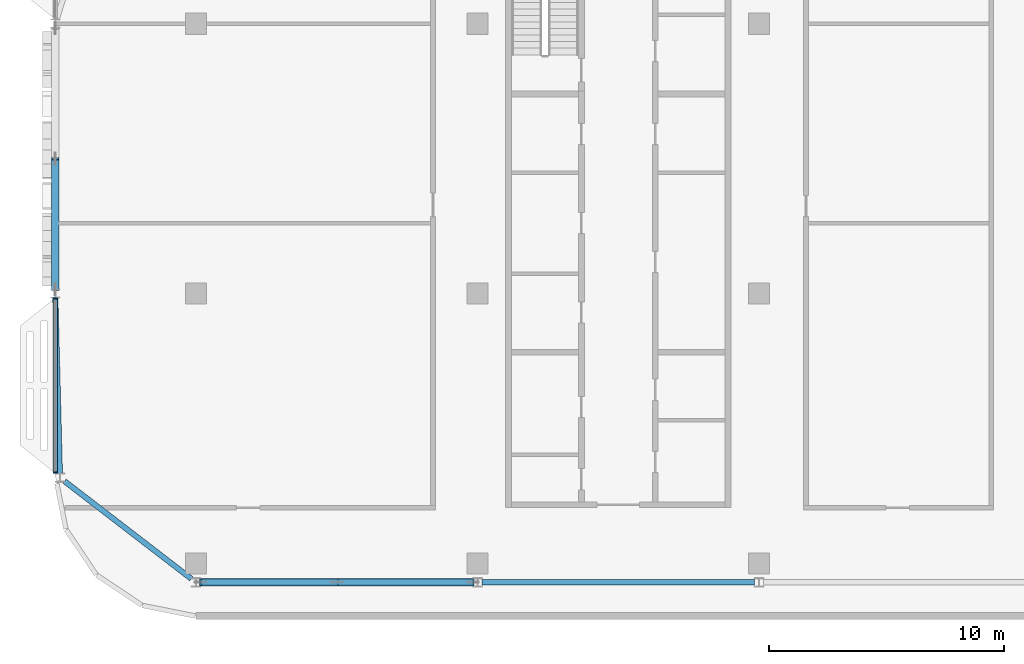
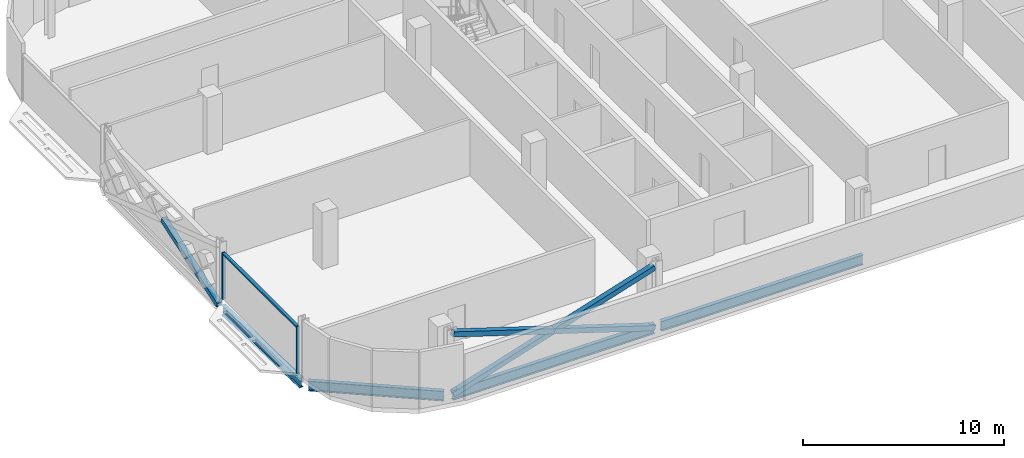
# One storey, part 5 of 28: 7 members, 4 beams, 1 element without a shape of its own.
"""IFC4 building model written with IfcOpenShell, lengths in metres."""

from ifc_helpers import new_model, si_unit, direction, frame, origin, origin_2d, place, context, subcontext, project, spatial, rectangle, hollow_rectangle, i_section, extrude, material, material_profile, profile_set, type_object, element, aggregate, save


model = new_model("IFC4")

# Units and contexts
model_context = context("Model", 3, precision=1e-05, world=origin(), true_north=direction((0.0, 1.0)))
body_context = subcontext(model_context, "Body", "Model", "MODEL_VIEW")
ifc_project = project(units=[si_unit("LENGTHUNIT", "METRE"), si_unit("AREAUNIT", "SQUARE_METRE"), si_unit("VOLUMEUNIT", "CUBIC_METRE"), si_unit("PLANEANGLEUNIT", "RADIAN"), si_unit("MASSUNIT", "GRAM", prefix="KILO")], contexts=[model_context])

# Site, building, storey
site_placement = place(None, origin())
site = spatial("IfcSite", under=ifc_project, at=site_placement, CompositionType="ELEMENT")
building_placement = place(site_placement, origin())
building = spatial("IfcBuilding", under=site, at=building_placement, Name="Mahtab Terrace Research Tower", CompositionType="ELEMENT")
storey_placement = place(building_placement, frame((0.0, 0.0, 267.10009765625)))
storey = spatial("IfcBuildingStorey", under=building, at=storey_placement, Name="L65", CompositionType="ELEMENT", Elevation=267.10009765625)

# Members
ifc_material_1 = material(Name="Steel ASTM A500 Gr C", Category="steel")
ifc_material_profile_1 = material_profile(ifc_material_1, hollow_rectangle(XDim=0.3046875, YDim=0.3046875, WallThickness=0.015869140625, at=origin_2d()), Name="HSS12X12X5/8")
ifc_profile_set_1 = profile_set([ifc_material_profile_1], Name="Steel ASTM A500 Gr C")
member_type_1 = type_object("IfcMemberType", Name="HSS 12x12x5/8 brace XB121258", PredefinedType="BRACE", material=ifc_profile_set_1)
member_1_placement = place(storey_placement, frame((-48.0, 0.18798828125, -0.58154296875), z_axis=(0.0, 0.949505289695, 0.313751023651), x_axis=(-1.0, 0.0, 0.0)))
element("IfcMember", 1, at=member_1_placement, inside=storey, type_object=member_type_1, Name="Exoskeleton brace L65 11 b1", PredefinedType="BRACE", context=body_context, shape_type="SweptSolid", body=[
    extrude(hollow_rectangle(XDim=0.3046875, YDim=0.3046875, WallThickness=0.015869140625, at=origin_2d()), origin(), (0.0, 0.0, 1.0), 5.85791015625),
])
member_2_placement = place(storey_placement, frame((-41.80322265625, -12.306884765625, -0.581298828125), z_axis=(0.953344149173, 0.0, 0.301885629399), x_axis=(0.0, 1.0, 0.0)))
element("IfcMember", 2, at=member_2_placement, inside=storey, type_object=member_type_1, Name="Exoskeleton brace L65 14 a", PredefinedType="BRACE", context=body_context, shape_type="SweptSolid", body=[
    extrude(hollow_rectangle(XDim=0.3046875, YDim=0.3046875, WallThickness=0.015869140625, at=origin_2d()), origin(), (0.0, 0.0, 1.0), 12.174560546875),
])
for number, where, z_axis, x_axis, name in (
    (3, (-30.19677734375, -12.306884765625, -0.581298828125), (-0.953344149173, 0.0, 0.301885629399), (0.0, -1.0, 0.0), "Exoskeleton brace L65 14 b1"),
    (4, (-36.0, -12.306884765625, 1.25634765625), (-0.953344149173, 0.0, 0.301885629399), (0.0, -1.0, 0.0), "Exoskeleton brace L65 14 b2"),
):
    element("IfcMember", number, at=place(storey_placement, frame(where, z_axis=z_axis, x_axis=x_axis)), inside=storey, type_object=member_type_1, Name=name, PredefinedType="BRACE", context=body_context, shape_type="SweptSolid", body=[
        extrude(hollow_rectangle(XDim=0.3046875, YDim=0.3046875, WallThickness=0.015869140625, at=origin_2d()), origin(), (0.0, 0.0, 1.0), 6.087158203125),
    ])

# Curtain wall, members
ifc_material_2 = material(Name="Office ribbon curtain wall")
curtain_wall_type = type_object("IfcCurtainWallType", Name="Office ribbon curtain wall", PredefinedType="NOTDEFINED", material=ifc_material_2)
curtain_wall_placement = place(storey_placement, origin())
curtain_wall = element("IfcCurtainWall", 5, at=curtain_wall_placement, inside=storey, type_object=curtain_wall_type, Name="EN.L65.8.10", PredefinedType="NOTDEFINED")
ifc_material_3 = material(Name="Natural anodised aluminium", Category="aluminium")
ifc_material_profile_2 = material_profile(ifc_material_3, rectangle(XDim=0.179931640625, YDim=0.06005859375, at=origin_2d()), Name="MULLION 60x180")
ifc_profile_set_2 = profile_set([ifc_material_profile_2], Name="Natural anodised aluminium")
member_type_2 = type_object("IfcMemberType", Name="Office ribbon curtain wall mullion", PredefinedType="MULLION", material=ifc_profile_set_2)
member_3_placement = place(storey_placement, frame((-48.0, -0.218017578125, 0.0), z_axis=(0.0, 0.0, 1.0), x_axis=(1.0, 0.0, 0.0)))
member_3 = element("IfcMember", 6, at=member_3_placement, type_object=member_type_2, Name="CWO-8 mullion 1", PredefinedType="MULLION", context=body_context, shape_type="SweptSolid", body=[
    extrude(rectangle(XDim=0.179931640625, YDim=0.06005859375, at=origin_2d()), origin(), (0.0, 0.0, 1.0), 2.852783203125),
])
member_4_placement = place(storey_placement, frame((-48.0, -7.6298828125, 0.0), z_axis=(0.0, 0.0, 1.0), x_axis=(1.0, 0.0, 0.0)))
member_4 = element("IfcMember", 7, at=member_4_placement, type_object=member_type_2, Name="CWO-8 mullion 2", PredefinedType="MULLION", context=body_context, shape_type="SweptSolid", body=[
    extrude(rectangle(XDim=0.179931640625, YDim=0.06005859375, at=origin_2d()), origin(), (0.0, 0.0, 1.0), 2.852783203125),
])
ifc_material_profile_3 = material_profile(ifc_material_3, rectangle(XDim=0.179931640625, YDim=0.10009765625, at=origin_2d()), Name="TRANSOM 100x180")
ifc_profile_set_3 = profile_set([ifc_material_profile_3], Name="Natural anodised aluminium")
member_type_3 = type_object("IfcMemberType", Name="Office ribbon curtain wall transom", PredefinedType="USERDEFINED", material=ifc_profile_set_3)
member_5_placement = place(storey_placement, frame((-48.0, -0.248046875, 2.802734375), z_axis=(0.0, -1.0, 0.0), x_axis=(1.0, 0.0, 0.0)))
member_5 = element("IfcMember", 8, at=member_5_placement, type_object=member_type_3, Name="CWO-8 transom 1", ObjectType="TRANSOM", PredefinedType="USERDEFINED", context=body_context, shape_type="SweptSolid", body=[
    extrude(rectangle(XDim=0.179931640625, YDim=0.10009765625, at=origin_2d()), origin(), (0.0, 0.0, 1.0), 7.35205078125),
])
aggregate(curtain_wall, [member_3, member_4, member_5])

# Beams
ifc_material_4 = material(Name="Steel ASTM A992 Gr 50", Category="steel")
ifc_material_profile_4 = material_profile(ifc_material_4, i_section(OverallWidth=0.228271484375, OverallDepth=0.607177734375, WebThickness=0.01123046875, FlangeThickness=0.017333984375, at=origin_2d()), Name="W24X76")
ifc_profile_set_4 = profile_set([ifc_material_profile_4], Name="Steel ASTM A992 Gr 50")
beam_type = type_object("IfcBeamType", Name="W24x76 beam BS2476", PredefinedType="BEAM", material=ifc_profile_set_4)
beam_1_placement = place(storey_placement, frame((-47.9951171875, -0.18798828125, -0.6435546875), z_axis=(0.025738056343, -0.999668721355, 0.0), x_axis=(0.999668721355, 0.025738056343, 0.0)))
element("IfcBeam", 9, at=beam_1_placement, inside=storey, type_object=beam_type, Name="Spandrel beam L65 12", PredefinedType="BEAM", context=body_context, shape_type="SweptSolid", body=[
    extrude(i_section(OverallWidth=0.228271484375, OverallDepth=0.607177734375, WebThickness=0.01123046875, FlangeThickness=0.017333984375, at=origin_2d()), origin(), (0.0, 0.0, 1.0), 7.474609375),
])
beam_2_placement = place(storey_placement, frame((-47.60107421875, -7.999267578125, -0.6435546875), z_axis=(0.792687883453, -0.60962768919, 0.0), x_axis=(0.60962768919, 0.792687883453, 0.0)))
element("IfcBeam", 10, at=beam_2_placement, inside=storey, type_object=beam_type, Name="Spandrel beam L65 13", PredefinedType="BEAM", context=body_context, shape_type="SweptSolid", body=[
    extrude(i_section(OverallWidth=0.228271484375, OverallDepth=0.607177734375, WebThickness=0.01123046875, FlangeThickness=0.017333984375, at=origin_2d()), origin(), (0.0, 0.0, 1.0), 6.817626953125),
])
for number, where, z_axis, x_axis, name in (
    (11, (-41.80322265625, -12.306884765625, -0.6435546875), (1.0, 0.0, 0.0), (0.0, 1.0, 0.0), "Spandrel beam L65 14"),
    (12, (-29.80322265625, -12.306884765625, -0.6435546875), (1.0, 0.0, 0.0), (0.0, 1.0, 0.0), "Spandrel beam L65 15"),
):
    element("IfcBeam", number, at=place(storey_placement, frame(where, z_axis=z_axis, x_axis=x_axis)), inside=storey, type_object=beam_type, Name=name, PredefinedType="BEAM", context=body_context, shape_type="SweptSolid", body=[
        extrude(i_section(OverallWidth=0.228271484375, OverallDepth=0.607177734375, WebThickness=0.01123046875, FlangeThickness=0.017333984375, at=origin_2d()), origin(), (0.0, 0.0, 1.0), 11.6064453125),
    ])

save(model, "model.ifc")
